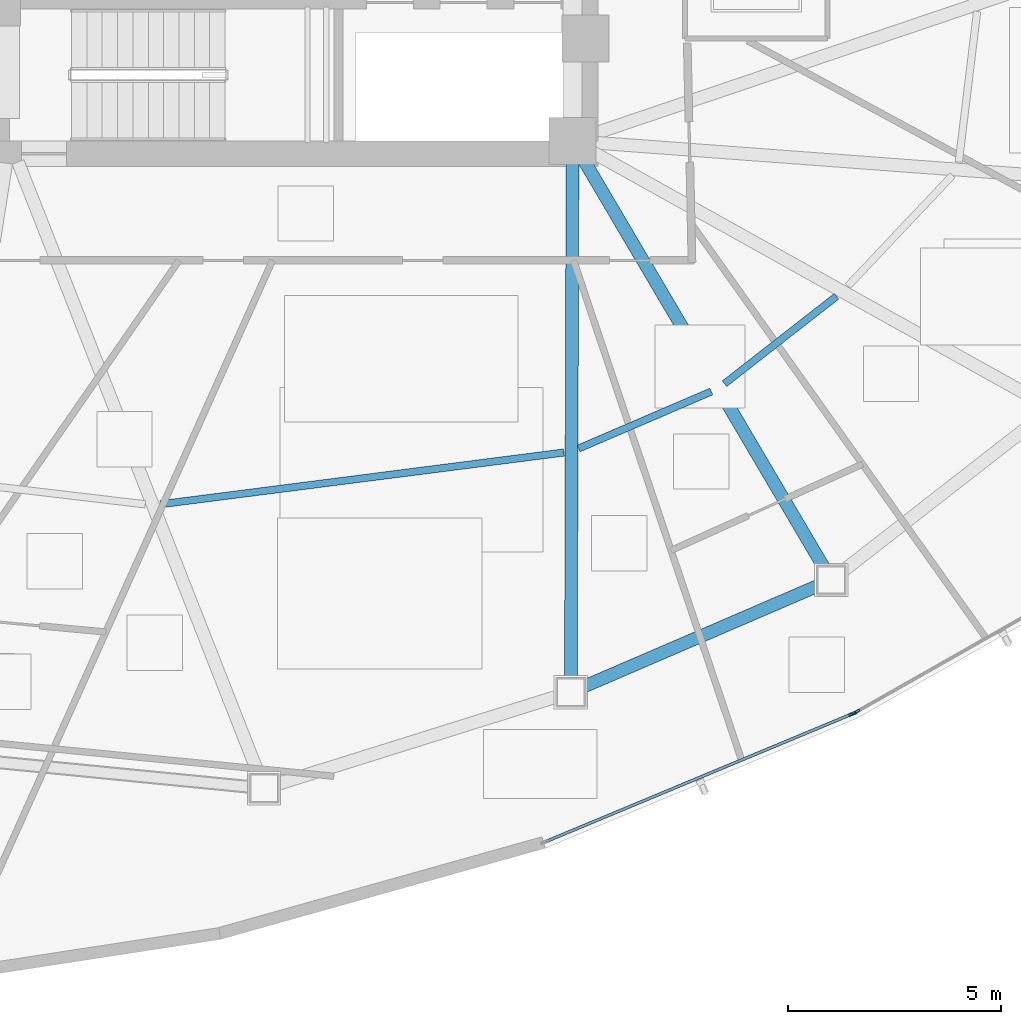
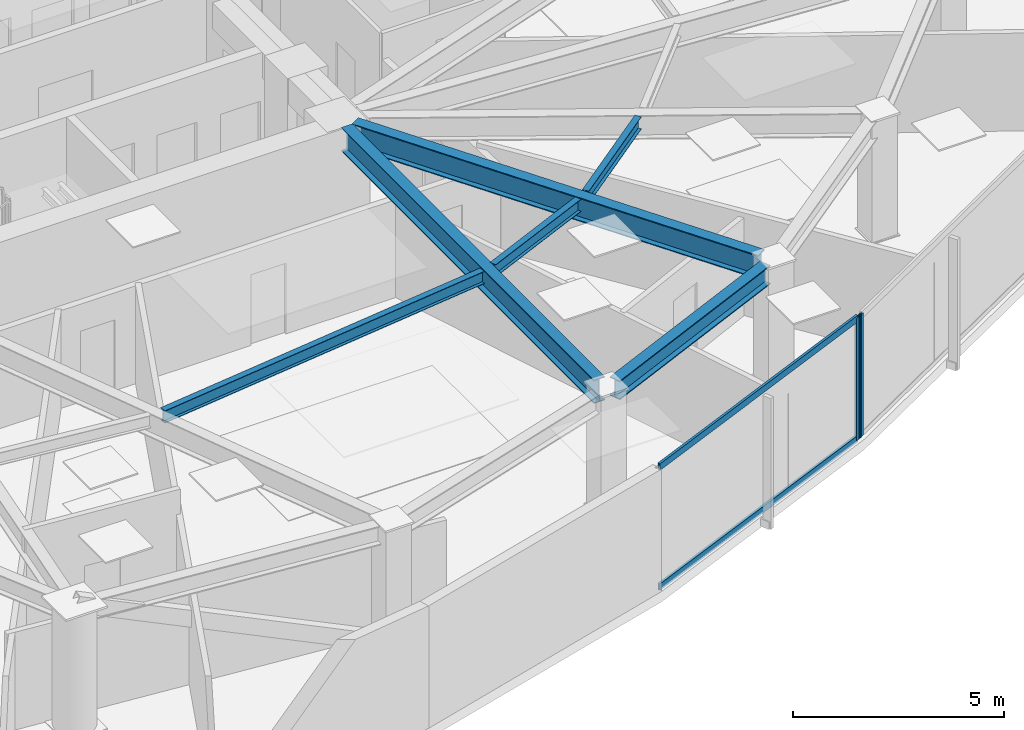
# One storey, part 3 of 17: 6 beams, 4 members, 2 elements without a shape of their own.
"""IFC4 building model written with IfcOpenShell, lengths in metres."""

from ifc_helpers import new_model, si_unit, direction, frame, origin, origin_2d, place, context, subcontext, project, spatial, hollow_rectangle, i_section, extrude, source, transform, mapped, material, layer, layer_set, material_profile, profile_set, type_object, type_shapes, element, aggregate, save


model = new_model("IFC4")

# Units and contexts
model_context = context("Model", 3, precision=1e-05, world=origin(), true_north=direction((0.0, 1.0)))
body_context = subcontext(model_context, "Body", "Model", "MODEL_VIEW")
ifc_project = project(units=[si_unit("LENGTHUNIT", "METRE"), si_unit("AREAUNIT", "SQUARE_METRE"), si_unit("VOLUMEUNIT", "CUBIC_METRE"), si_unit("PLANEANGLEUNIT", "RADIAN"), si_unit("MASSUNIT", "GRAM", prefix="KILO")], contexts=[model_context])

# Site, building, storey
site_placement = place(None, origin())
site = spatial("IfcSite", under=ifc_project, at=site_placement, CompositionType="ELEMENT")
building_placement = place(site_placement, origin())
building = spatial("IfcBuilding", under=site, at=building_placement, Name="Tavelor Broadcast Tower", CompositionType="ELEMENT")
storey_placement = place(building_placement, frame((0.0, 0.0, 142.550048828125)))
storey = spatial("IfcBuildingStorey", under=building, at=storey_placement, Name="L33", CompositionType="ELEMENT", Elevation=142.550048828125)

# Beams
ifc_material_1 = material(Name="Steel S355", Category="steel")
ifc_material_profile_1 = material_profile(ifc_material_1, i_section(OverallWidth=0.169921875, OverallDepth=0.360107421875, WebThickness=0.008056640625, FlangeThickness=0.0126953125, at=origin_2d()), Name="IPE 360")
ifc_profile_set_1 = profile_set([ifc_material_profile_1], Name="Steel S355")
beam_type_1 = type_object("IfcBeamType", Name="Composite Floor Joist T3 IPE 360", PredefinedType="JOIST", material=ifc_profile_set_1)
beam_1_placement = place(storey_placement, frame((46.93701171875, 30.280517578125, 3.369873046875), z_axis=(0.991879926303, 0.12717787464, 0.0), x_axis=(-0.12717787464, 0.991879926303, 0.0)))
element("IfcBeam", 1, at=beam_1_placement, inside=storey, type_object=beam_type_1, Name="L33 Secondary Composite Floor Joist 08", PredefinedType="JOIST", context=body_context, shape_type="SweptSolid", body=[
    extrude(i_section(OverallWidth=0.169921875, OverallDepth=0.360107421875, WebThickness=0.008056640625, FlangeThickness=0.0126953125, at=origin_2d()), origin(), (0.0, 0.0, 1.0), 9.538818359375),
])
beam_2_placement = place(storey_placement, frame((56.744384765625, 31.588134765625, 3.369873046875), z_axis=(0.918816463589, 0.394685072225, 0.0), x_axis=(-0.394685072225, 0.918816463589, 0.0)))
element("IfcBeam", 2, at=beam_2_placement, inside=storey, type_object=beam_type_1, Name="L33 Secondary Composite Floor Joist 09", PredefinedType="JOIST", context=body_context, shape_type="SweptSolid", body=[
    extrude(i_section(OverallWidth=0.169921875, OverallDepth=0.360107421875, WebThickness=0.008056640625, FlangeThickness=0.0126953125, at=origin_2d()), origin(), (0.0, 0.0, 1.0), 3.385498046875),
])
beam_3_placement = place(storey_placement, frame((60.163818359375, 33.107177734375, 3.369873046875), z_axis=(0.788471752191, 0.615070968261, 0.0), x_axis=(-0.615070968261, 0.788471752191, 0.0)))
element("IfcBeam", 3, at=beam_3_placement, inside=storey, type_object=beam_type_1, Name="L33 Secondary Composite Floor Joist 10", PredefinedType="JOIST", context=body_context, shape_type="SweptSolid", body=[
    extrude(i_section(OverallWidth=0.169921875, OverallDepth=0.360107421875, WebThickness=0.008056640625, FlangeThickness=0.0126953125, at=origin_2d()), origin(), (0.0, 0.0, 1.0), 3.33251953125),
])
ifc_material_profile_2 = material_profile(ifc_material_1, i_section(OverallWidth=0.300048828125, OverallDepth=0.550048828125, WebThickness=0.014892578125, FlangeThickness=0.029052734375, at=origin_2d()), Name="HEB 550")
ifc_profile_set_2 = profile_set([ifc_material_profile_2], Name="Steel S355")
beam_type_2 = type_object("IfcBeamType", Name="Perimeter Spandrel Beam T3 HEB 550", PredefinedType="SPANDREL", material=ifc_profile_set_2)
beam_4_placement = place(storey_placement, frame((56.86962890625, 26.005615234375, 3.27490234375), z_axis=(0.918448679011, 0.395540167396, 0.0), x_axis=(-0.395540167396, 0.918448679011, 0.0)))
element("IfcBeam", 4, at=beam_4_placement, inside=storey, type_object=beam_type_2, Name="L33 Framed-Tube Ring Spandrel 09", PredefinedType="SPANDREL", context=body_context, shape_type="SweptSolid", body=[
    extrude(i_section(OverallWidth=0.300048828125, OverallDepth=0.550048828125, WebThickness=0.014892578125, FlangeThickness=0.029052734375, at=origin_2d()), origin(), (0.0, 0.0, 1.0), 5.978515625),
])
ifc_material_profile_3 = material_profile(ifc_material_1, i_section(OverallWidth=0.300048828125, OverallDepth=0.68994140625, WebThickness=0.014404296875, FlangeThickness=0.027099609375, at=origin_2d()), Name="HEA 700")
ifc_profile_set_3 = profile_set([ifc_material_profile_3], Name="Steel S355")
beam_type_3 = type_object("IfcBeamType", Name="Radial Floor Girder T3 HEA 700", PredefinedType="BEAM", material=ifc_profile_set_3)
beam_5_placement = place(storey_placement, frame((56.598388671875, 38.27197265625, 3.204833984375), z_axis=(-0.003015509149, -0.999995453342, 0.0), x_axis=(0.999995453342, -0.003015509149, 0.0)))
element("IfcBeam", 5, at=beam_5_placement, inside=storey, type_object=beam_type_3, Name="L33 Radial Primary Floor Girder 09", PredefinedType="BEAM", context=body_context, shape_type="SweptSolid", body=[
    extrude(i_section(OverallWidth=0.300048828125, OverallDepth=0.68994140625, WebThickness=0.014404296875, FlangeThickness=0.027099609375, at=origin_2d()), origin(), (0.0, 0.0, 1.0), 12.063232421875),
])
beam_6_placement = place(storey_placement, frame((56.8681640625, 38.34521484375, 3.204833984375), z_axis=(0.507774310592, -0.861490133143, 0.0), x_axis=(0.861490133143, 0.507774310592, 0.0)))
element("IfcBeam", 6, at=beam_6_placement, inside=storey, type_object=beam_type_3, Name="L33 Radial Primary Floor Girder 10", PredefinedType="BEAM", context=body_context, shape_type="SweptSolid", body=[
    extrude(i_section(OverallWidth=0.300048828125, OverallDepth=0.68994140625, WebThickness=0.014404296875, FlangeThickness=0.027099609375, at=origin_2d()), origin(), (0.0, 0.0, 1.0), 11.08837890625),
])

# Curtain wall, member
ifc_material_2 = material(Name="Architectural Anodized Aluminium", Category="aluminium")
ifc_layer = layer(ifc_material_2, 0.18994140625)
ifc_layer_set = layer_set([ifc_layer], Name="Architectural Anodized Aluminium")
curtain_wall_type = type_object("IfcCurtainWallType", Name="Tower Mid-Zone Acoustic Curtain Wall CW03", PredefinedType="NOTDEFINED", material=ifc_layer_set)
curtain_wall_1_placement = place(storey_placement, origin())
curtain_wall_1 = element("IfcCurtainWall", 7, at=curtain_wall_1_placement, inside=storey, type_object=curtain_wall_type, Name="L33 Curtain Wall CW03 Run 341", PredefinedType="NOTDEFINED")
ifc_material_profile_4 = material_profile(ifc_material_2, hollow_rectangle(XDim=0.068115234375, YDim=0.18994140625, WallThickness=0.02197265625, at=origin_2d()), Name="RHS 68x190x22")
ifc_profile_set_4 = profile_set([ifc_material_profile_4], Name="Architectural Anodized Aluminium")
member_type_1 = type_object("IfcMemberType", Name="CW03 Extruded Aluminium Mullion 68x190", PredefinedType="MULLION", material=ifc_profile_set_4)
shared_shape_1 = source(origin(), body_context, "Body", "SweptSolid", [
    extrude(hollow_rectangle(XDim=0.068115234375, YDim=0.18994140625, WallThickness=0.02197265625, at=origin_2d()), origin(), (0.0, 0.0, 1.0), 3.550048828125),
])
type_shapes(member_type_1, [shared_shape_1])
member_1_placement = place(storey_placement, frame((63.164306640625, 25.365478515625, 0.0), z_axis=(0.0, 0.0, 1.0), x_axis=(-0.384700008337, 0.92304165864, 0.0)))
member_1 = element("IfcMember", 8, at=member_1_placement, type_object=member_type_1, Name="CW03 mullion 2", PredefinedType="MULLION", context=body_context, shape_type="MappedRepresentation", body=[
    mapped(shared_shape_1, transform((0.0, 0.0, 0.0), scale=1.0)),
])

curtain_wall_2_placement = place(storey_placement, origin())
curtain_wall_2 = element("IfcCurtainWall", 9, at=curtain_wall_2_placement, inside=storey, type_object=curtain_wall_type, Name="L33 Curtain Wall CW03 Run 342", PredefinedType="NOTDEFINED")
member_2_placement = place(storey_placement, frame((63.252197265625, 25.408447265625, 0.0), z_axis=(0.0, 0.0, 1.0), x_axis=(-0.493560856064, 0.869711263214, 0.0)))
member_2 = element("IfcMember", 10, at=member_2_placement, type_object=member_type_1, Name="CW03 mullion 1", PredefinedType="MULLION", context=body_context, shape_type="MappedRepresentation", body=[
    mapped(shared_shape_1, transform((0.0, 0.0, 0.0), scale=1.0)),
])
aggregate(curtain_wall_2, [member_2])

# Member
ifc_material_profile_5 = material_profile(ifc_material_2, hollow_rectangle(XDim=0.068115234375, YDim=0.18994140625, WallThickness=0.02197265625, at=origin_2d()), Name="RHS 68x190x22")
ifc_profile_set_5 = profile_set([ifc_material_profile_5], Name="Architectural Anodized Aluminium")
member_type_2 = type_object("IfcMemberType", Name="CW03 Extruded Aluminium Transom 68x190", PredefinedType="USERDEFINED", material=ifc_profile_set_5)
shared_shape_2 = source(origin(), body_context, "Body", "SweptSolid", [
    extrude(hollow_rectangle(XDim=0.068115234375, YDim=0.18994140625, WallThickness=0.02197265625, at=origin_2d()), origin(), (0.0, 0.0, 1.0), 7.7509765625),
])
type_shapes(member_type_2, [shared_shape_2])
member_3_placement = place(storey_placement, frame((55.978271484375, 22.370361328125, 0.033935546875), z_axis=(0.92303684717, 0.384711552682, 0.0), x_axis=(-0.384711552682, 0.92303684717, 0.0)))
member_3 = element("IfcMember", 11, at=member_3_placement, type_object=member_type_2, Name="CW03 transom 1.1", ObjectType="TRANSOM", PredefinedType="USERDEFINED", context=body_context, shape_type="MappedRepresentation", body=[
    mapped(shared_shape_2, transform((0.0, 0.0, 0.0), scale=1.0)),
])

member_4_placement = place(storey_placement, frame((55.978271484375, 22.370361328125, 3.515869140625), z_axis=(0.92303684717, 0.384711552682, 0.0), x_axis=(-0.384711552682, 0.92303684717, 0.0)))
member_4 = element("IfcMember", 12, at=member_4_placement, type_object=member_type_2, Name="CW03 transom 1.2", ObjectType="TRANSOM", PredefinedType="USERDEFINED", context=body_context, shape_type="MappedRepresentation", body=[
    mapped(shared_shape_2, transform((0.0, 0.0, 0.0), scale=1.0)),
])

aggregate(curtain_wall_1, [member_1, member_3, member_4])

save(model, "model.ifc")
